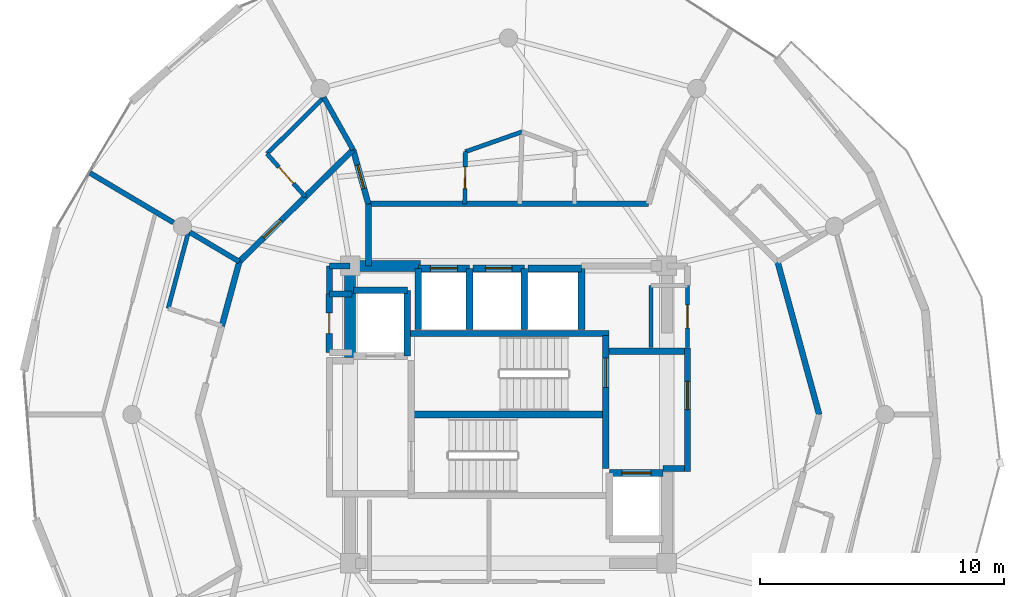
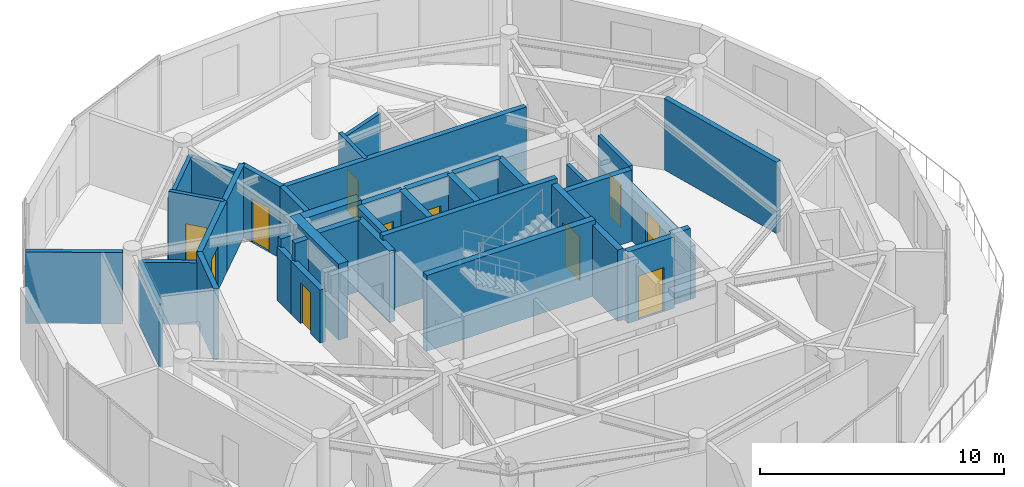
# One storey, part 18 of 22: 39 walls, 11 doors, 11 openings.
"""IFC4 building model written with IfcOpenShell, lengths in metres."""

from ifc_helpers import new_model, si_unit, direction, frame, frame_2d, origin, place, context, subcontext, project, spatial, rectangle, extrude, material, layer, layer_set, type_object, element, fill, save


model = new_model("IFC4")

# Units and contexts
model_context = context("Model", 3, precision=1e-05, world=origin(), true_north=direction((0.0, 1.0)))
body_context = subcontext(model_context, "Body", "Model", "MODEL_VIEW")
ifc_project = project(units=[si_unit("LENGTHUNIT", "METRE"), si_unit("AREAUNIT", "SQUARE_METRE"), si_unit("VOLUMEUNIT", "CUBIC_METRE"), si_unit("PLANEANGLEUNIT", "RADIAN"), si_unit("MASSUNIT", "GRAM", prefix="KILO")], contexts=[model_context])

# Site, building, storey
site_placement = place(None, origin())
site = spatial("IfcSite", under=ifc_project, at=site_placement, CompositionType="ELEMENT")
building_placement = place(site_placement, origin())
building = spatial("IfcBuilding", under=site, at=building_placement, Name="Solvirekh Grand Hotel", CompositionType="ELEMENT")
storey_placement = place(building_placement, frame((0.0, 0.0, 243.0)))
storey = spatial("IfcBuildingStorey", under=building, at=storey_placement, Name="L63", CompositionType="ELEMENT", Elevation=243.0)

# Wall
ifc_material_1 = material(Name="Concrete C50/60", Category="concrete")
ifc_layer_1 = layer(ifc_material_1, 0.35009765625)
ifc_layer_set_1 = layer_set([ifc_layer_1], Name="Concrete C50/60")
wall_type_1 = type_object("IfcWallType", Name="CoreDivWall_RC350", PredefinedType="SOLIDWALL", material=ifc_layer_set_1)
wall_1_placement = place(storey_placement, frame((-4.1298828125, 3.324951171875, 0.0), z_axis=(0.0, 0.0, 1.0), x_axis=(1.0, 0.0, 0.0)))
element("IfcWall", 1, at=wall_1_placement, inside=storey, type_object=wall_type_1, Name="L63 core stair box wall ST-N", PredefinedType="SOLIDWALL", context=body_context, shape_type="SweptSolid", body=[
    extrude(rectangle(XDim=8.259765625, YDim=0.25, at=frame_2d((4.1298828125, 0.0))), origin(), (0.0, 0.0, 1.0), 3.800048828125),
])

# Wall, opening, door
ifc_material_2 = material(Name="Concrete C40/50", Category="concrete")
ifc_layer_2 = layer(ifc_material_2, 0.280029296875)
ifc_layer_set_2 = layer_set([ifc_layer_2], Name="Concrete C40/50")
wall_type_2 = type_object("IfcWallType", Name="CoreShaftWall_RC280", PredefinedType="SOLIDWALL", material=ifc_layer_set_2)
wall_2_placement = place(storey_placement, frame((-1.60009765625, 6.0, 0.0), z_axis=(0.0, 0.0, 1.0), x_axis=(-1.0, 0.0, 0.0)))
wall_2 = element("IfcWall", 2, at=wall_2_placement, inside=storey, type_object=wall_type_2, Name="L63 HP-1 hoistway N wall", PredefinedType="SOLIDWALL", context=body_context, shape_type="SweptSolid", body=[
    extrude(rectangle(XDim=2.099853515625, YDim=0.280029296875, at=frame_2d((1.0498046875, 0.0))), origin(), (0.0, 0.0, 1.0), 3.570068359375),
])
opening_1_placement = place(wall_2_placement, frame((0.5, 0.0, 0.0)))
opening_1 = element("IfcOpeningElement", 3, at=opening_1_placement, cuts=wall_2, Name="Opening LD01", PredefinedType="OPENING", context=body_context, shape_type="SweptSolid", body=[
    extrude(rectangle(XDim=1.10009765625, YDim=2.199951171875, at=frame_2d((0.550048828125, 1.10009765625))), frame((0.0, 0.14990234375, 0.0), z_axis=(0.0, -1.0, 0.0), x_axis=(1.0, 0.0, 0.0)), (0.0, 0.0, 1.0), 0.300048828125),
])
ifc_material_3 = material(Name="Fire-Rated Steel Door Assembly", Category="steel")
door_type_1 = type_object("IfcDoorType", Name="Door_LiftLanding_1100X2200", OperationType="SLIDING_TO_LEFT", PredefinedType="DOOR", material=ifc_material_3)
door_1_placement = place(opening_1_placement, origin())
door_1 = element("IfcDoor", 4, at=door_1_placement, inside=storey, type_object=door_type_1, Name="L63 HP-1 sliding lift landing door", OperationType="SLIDING_TO_LEFT", OverallHeight=2.199951171875, OverallWidth=1.10009765625, PredefinedType="DOOR", context=body_context, shape_type="SweptSolid", body=[
    extrude(rectangle(XDim=1.10009765625, YDim=2.199951171875, at=frame_2d((0.550048828125, 1.10009765625))), frame((0.0, 0.02490234375, 0.0), z_axis=(0.0, -1.0, 0.0), x_axis=(1.0, 0.0, 0.0)), (0.0, 0.0, 1.0), 0.050048828125),
])
fill(opening_1, door_1)

# Walls
for number, where, z_axis, x_axis, name in (
    (5, (-3.699951171875, 6.0, 0.0), (0.0, 0.0, 1.0), (0.0, -1.0, 0.0), "L63 HP-1 hoistway W wall"),
    (6, (-1.60009765625, 3.5, 0.0), (0.0, 0.0, 1.0), (0.0, 1.0, 0.0), "L63 HP-1 hoistway E wall"),
):
    element("IfcWall", number, at=place(storey_placement, frame(where, z_axis=z_axis, x_axis=x_axis)), inside=storey, type_object=wall_type_2, Name=name, PredefinedType="SOLIDWALL", context=body_context, shape_type="SweptSolid", body=[
        extrude(rectangle(XDim=2.5, YDim=0.280029296875, at=frame_2d((1.25, 0.0))), origin(), (0.0, 0.0, 1.0), 3.570068359375),
    ])

# Wall, opening, door
wall_3_placement = place(storey_placement, frame((0.64990234375, 6.0, 0.0), z_axis=(0.0, 0.0, 1.0), x_axis=(-1.0, 0.0, 0.0)))
wall_3 = element("IfcWall", 7, at=wall_3_placement, inside=storey, type_object=wall_type_2, Name="L63 HP-2 hoistway N wall", PredefinedType="SOLIDWALL", context=body_context, shape_type="SweptSolid", body=[
    extrude(rectangle(XDim=2.099853515625, YDim=0.280029296875, at=frame_2d((1.0498046875, 0.0))), origin(), (0.0, 0.0, 1.0), 3.570068359375),
])
opening_2_placement = place(wall_3_placement, frame((0.5, 0.0, 0.0)))
opening_2 = element("IfcOpeningElement", 8, at=opening_2_placement, cuts=wall_3, Name="Opening LD01", PredefinedType="OPENING", context=body_context, shape_type="SweptSolid", body=[
    extrude(rectangle(XDim=1.10009765625, YDim=2.199951171875, at=frame_2d((0.550048828125, 1.10009765625))), frame((0.0, 0.14990234375, 0.0), z_axis=(0.0, -1.0, 0.0), x_axis=(1.0, 0.0, 0.0)), (0.0, 0.0, 1.0), 0.300048828125),
])
door_2_placement = place(opening_2_placement, origin())
door_2 = element("IfcDoor", 9, at=door_2_placement, inside=storey, type_object=door_type_1, Name="L63 HP-2 sliding lift landing door", OperationType="SLIDING_TO_LEFT", OverallHeight=2.199951171875, OverallWidth=1.10009765625, PredefinedType="DOOR", context=body_context, shape_type="SweptSolid", body=[
    extrude(rectangle(XDim=1.10009765625, YDim=2.199951171875, at=frame_2d((0.550048828125, 1.10009765625))), frame((0.0, 0.02490234375, 0.0), z_axis=(0.0, -1.0, 0.0), x_axis=(1.0, 0.0, 0.0)), (0.0, 0.0, 1.0), 0.050048828125),
])
fill(opening_2, door_2)

# Walls
wall_4_placement = place(storey_placement, frame((0.64990234375, 3.5, 0.0), z_axis=(0.0, 0.0, 1.0), x_axis=(0.0, 1.0, 0.0)))
element("IfcWall", 10, at=wall_4_placement, inside=storey, type_object=wall_type_2, Name="L63 HP-2 hoistway E wall", PredefinedType="SOLIDWALL", context=body_context, shape_type="SweptSolid", body=[
    extrude(rectangle(XDim=2.5, YDim=0.280029296875, at=frame_2d((1.25, 0.0))), origin(), (0.0, 0.0, 1.0), 3.570068359375),
])
wall_5_placement = place(storey_placement, frame((3.0, 6.0, 0.0), z_axis=(0.0, 0.0, 1.0), x_axis=(-1.0, 0.0, 0.0)))
element("IfcWall", 11, at=wall_5_placement, inside=storey, type_object=wall_type_2, Name="L63 EX-1 hoistway N wall", PredefinedType="SOLIDWALL", context=body_context, shape_type="SweptSolid", body=[
    extrude(rectangle(XDim=2.199951171875, YDim=0.280029296875, at=frame_2d((1.10009765625, 0.0))), origin(), (0.0, 0.0, 1.0), 3.570068359375),
])
wall_6_placement = place(storey_placement, frame((3.0, 3.5, 0.0), z_axis=(0.0, 0.0, 1.0), x_axis=(0.0, 1.0, 0.0)))
element("IfcWall", 12, at=wall_6_placement, inside=storey, type_object=wall_type_2, Name="L63 EX-1 hoistway E wall", PredefinedType="SOLIDWALL", context=body_context, shape_type="SweptSolid", body=[
    extrude(rectangle(XDim=2.5, YDim=0.280029296875, at=frame_2d((1.25, 0.0))), origin(), (0.0, 0.0, 1.0), 3.570068359375),
])
wall_7_placement = place(storey_placement, frame((-4.14990234375, 5.10009765625, 0.0), z_axis=(0.0, 0.0, 1.0), x_axis=(-1.0, 0.0, 0.0)))
element("IfcWall", 13, at=wall_7_placement, inside=storey, type_object=wall_type_2, Name="L63 FL-1 hoistway N wall", PredefinedType="SOLIDWALL", context=body_context, shape_type="SweptSolid", body=[
    extrude(rectangle(XDim=2.2001953125, YDim=0.280029296875, at=frame_2d((1.10009765625, 0.0))), origin(), (0.0, 0.0, 1.0), 3.570068359375),
])
wall_8_placement = place(storey_placement, frame((-4.14990234375, 2.39990234375, 0.0), z_axis=(0.0, 0.0, 1.0), x_axis=(0.0, 1.0, 0.0)))
element("IfcWall", 14, at=wall_8_placement, inside=storey, type_object=wall_type_2, Name="L63 FL-1 hoistway E wall", PredefinedType="SOLIDWALL", context=body_context, shape_type="SweptSolid", body=[
    extrude(rectangle(XDim=2.7001953125, YDim=0.280029296875, at=frame_2d((1.35009765625, 0.0))), origin(), (0.0, 0.0, 1.0), 3.570068359375),
])

# Wall, opening, door
wall_9_placement = place(storey_placement, frame((6.35009765625, -2.39990234375, 0.0), z_axis=(0.0, 0.0, 1.0), x_axis=(-1.0, 0.0, 0.0)))
wall_9 = element("IfcWall", 15, at=wall_9_placement, inside=storey, type_object=wall_type_2, Name="L63 FL-2 hoistway N wall", PredefinedType="SOLIDWALL", context=body_context, shape_type="SweptSolid", body=[
    extrude(rectangle(XDim=2.2001953125, YDim=0.280029296875, at=frame_2d((1.10009765625, 0.0))), origin(), (0.0, 0.0, 1.0), 3.570068359375),
])
opening_3_placement = place(wall_9_placement, frame((0.5, 0.0, 0.0)))
opening_3 = element("IfcOpeningElement", 16, at=opening_3_placement, cuts=wall_9, Name="Opening LD02", PredefinedType="OPENING", context=body_context, shape_type="SweptSolid", body=[
    extrude(rectangle(XDim=1.199951171875, YDim=2.199951171875, at=frame_2d((0.60009765625, 1.10009765625))), frame((0.0, 0.14990234375, 0.0), z_axis=(0.0, -1.0, 0.0), x_axis=(1.0, 0.0, 0.0)), (0.0, 0.0, 1.0), 0.300048828125),
])
door_type_2 = type_object("IfcDoorType", Name="Door_LiftFF_1200X2200", OperationType="SLIDING_TO_LEFT", PredefinedType="DOOR", material=ifc_material_3)
door_3_placement = place(opening_3_placement, origin())
door_3 = element("IfcDoor", 17, at=door_3_placement, inside=storey, type_object=door_type_2, Name="L63 FL-2 sliding lift landing door", OperationType="SLIDING_TO_LEFT", OverallHeight=2.199951171875, OverallWidth=1.199951171875, PredefinedType="DOOR", context=body_context, shape_type="SweptSolid", body=[
    extrude(rectangle(XDim=1.199951171875, YDim=2.199951171875, at=frame_2d((0.60009765625, 1.10009765625))), frame((0.0, 0.02490234375, 0.0), z_axis=(0.0, -1.0, 0.0), x_axis=(1.0, 0.0, 0.0)), (0.0, 0.0, 1.0), 0.050048828125),
])
fill(opening_3, door_3)

wall_10_placement = place(storey_placement, frame((3.989990234375, -2.2099609375, 0.0), z_axis=(0.0, 0.0, 1.0), x_axis=(0.0, 1.0, 0.0)))
wall_10 = element("IfcWall", 18, at=wall_10_placement, inside=storey, type_object=wall_type_2, Name="L63 east stair landing enclosure wall", PredefinedType="SOLIDWALL", context=body_context, shape_type="SweptSolid", body=[
    extrude(rectangle(XDim=5.4599609375, YDim=0.280029296875, at=frame_2d((2.72998046875, 0.0))), origin(), (0.0, 0.0, 1.0), 3.570068359375),
])
opening_4_placement = place(wall_10_placement, frame((3.322998046875, 0.0, 0.0)))
opening_4 = element("IfcOpeningElement", 19, at=opening_4_placement, cuts=wall_10, Name="Opening D05", PredefinedType="OPENING", context=body_context, shape_type="SweptSolid", body=[
    extrude(rectangle(XDim=1.199951171875, YDim=2.199951171875, at=frame_2d((0.60009765625, 1.10009765625))), frame((0.0, 0.14990234375, 0.0), z_axis=(0.0, -1.0, 0.0), x_axis=(1.0, 0.0, 0.0)), (0.0, 0.0, 1.0), 0.300048828125),
])
door_type_3 = type_object("IfcDoorType", Name="Door_StairCore_1200X2200", OperationType="NOTDEFINED", PredefinedType="DOOR", material=ifc_material_3)
door_4_placement = place(opening_4_placement, origin())
door_4 = element("IfcDoor", 20, at=door_4_placement, inside=storey, type_object=door_type_3, Name="L63 exit stair ST-2 fire door", OperationType="SINGLE_SWING_RIGHT", OverallHeight=2.199951171875, OverallWidth=1.199951171875, PredefinedType="DOOR", context=body_context, shape_type="SweptSolid", body=[
    extrude(rectangle(XDim=1.199951171875, YDim=2.199951171875, at=frame_2d((0.60009765625, 1.10009765625))), frame((0.0, 0.02490234375, 0.0), z_axis=(0.0, -1.0, 0.0), x_axis=(1.0, 0.0, 0.0)), (0.0, 0.0, 1.0), 0.050048828125),
])
fill(opening_4, door_4)

# Walls
ifc_layer_3 = layer(ifc_material_1, 0.449951171875)
ifc_layer_set_3 = layer_set([ifc_layer_3], Name="Concrete C50/60")
wall_type_3 = type_object("IfcWallType", Name="CoreWall_RC450", PredefinedType="SHEAR", material=ifc_layer_set_3)
wall_11_placement = place(storey_placement, frame((-3.989990234375, 0.0, 0.0), z_axis=(0.0, 0.0, 1.0), x_axis=(1.0, 0.0, 0.0)))
element("IfcWall", 21, at=wall_11_placement, inside=storey, type_object=wall_type_3, Name="L63 central stair-spine shear wall", PredefinedType="SHEAR", context=body_context, shape_type="SweptSolid", body=[
    extrude(rectangle(XDim=7.97998046875, YDim=0.300048828125, at=frame_2d((3.989990234375, 0.0))), origin(), (0.0, 0.0, 1.0), 3.800048828125),
])
wall_12_placement = place(storey_placement, frame((-6.27490234375, 6.10009765625, 0.0), z_axis=(0.0, 0.0, 1.0), x_axis=(1.0, 0.0, 0.0)))
element("IfcWall", 22, at=wall_12_placement, inside=storey, type_object=wall_type_3, Name="L63 core corner shear wall NW-N", PredefinedType="SHEAR", context=body_context, shape_type="SweptSolid", body=[
    extrude(rectangle(XDim=2.6748046875, YDim=0.449951171875, at=frame_2d((1.33740234375, 0.0))), origin(), (0.0, 0.0, 1.0), 3.800048828125),
])
wall_13_placement = place(storey_placement, frame((-6.5, 2.35009765625, 0.0), z_axis=(0.0, 0.0, 1.0), x_axis=(0.0, 1.0, 0.0)))
element("IfcWall", 23, at=wall_13_placement, inside=storey, type_object=wall_type_3, Name="L63 core corner shear wall WN-W", PredefinedType="SHEAR", context=body_context, shape_type="SweptSolid", body=[
    extrude(rectangle(XDim=3.974853515625, YDim=0.449951171875, at=frame_2d((1.9873046875, 0.0))), origin(), (0.0, 0.0, 1.0), 3.800048828125),
])

# Wall, opening, door
ifc_material_4 = material(Name="Acoustic Gypsum Partition Assembly")
ifc_layer_4 = layer(ifc_material_4, 0.1650390625)
ifc_layer_set_4 = layer_set([ifc_layer_4], Name="Acoustic Gypsum Partition Assembly")
wall_type_4 = type_object("IfcWallType", Name="Part_BOH_165", PredefinedType="PARTITIONING", material=ifc_layer_set_4)
wall_14_placement = place(storey_placement, frame((7.35009765625, 2.75, 0.0), z_axis=(0.0, 0.0, 1.0), x_axis=(0.0, 1.0, 0.0)))
wall_14 = element("IfcWall", 24, at=wall_14_placement, inside=storey, type_object=wall_type_4, Name="L63 L63 Core Housekeeping & Linen Room wall 2", PredefinedType="PARTITIONING", context=body_context, shape_type="SweptSolid", body=[
    extrude(rectangle(XDim=2.550048828125, YDim=0.1650390625, at=frame_2d((1.27490234375, 0.0))), origin(), (0.0, 0.0, 1.0), 3.570068359375),
])
opening_5_placement = place(wall_14_placement, frame((0.800048828125, 0.0, 0.0)))
opening_5 = element("IfcOpeningElement", 25, at=opening_5_placement, cuts=wall_14, Name="Opening D10", PredefinedType="OPENING", context=body_context, shape_type="SweptSolid", body=[
    extrude(rectangle(XDim=0.949951171875, YDim=2.10009765625, at=frame_2d((0.47509765625, 1.050048828125))), frame((0.0, 0.092529296875, 0.0), z_axis=(0.0, -1.0, 0.0), x_axis=(1.0, 0.0, 0.0)), (0.0, 0.0, 1.0), 0.18505859375),
])
ifc_material_5 = material(Name="Anodized Bronze Aluminium 6063-T6", Category="aluminium")
door_type_4 = type_object("IfcDoorType", Name="Door_RoomInt_950X2100", OperationType="NOTDEFINED", PredefinedType="DOOR", material=ifc_material_5)
door_5_placement = place(opening_5_placement, origin())
door_5 = element("IfcDoor", 26, at=door_5_placement, inside=storey, type_object=door_type_4, Name="L63 L63 Core Housekeeping & Linen Room door", OperationType="SINGLE_SWING_RIGHT", OverallHeight=2.10009765625, OverallWidth=0.949951171875, PredefinedType="DOOR", context=body_context, shape_type="SweptSolid", body=[
    extrude(rectangle(XDim=0.949951171875, YDim=2.10009765625, at=frame_2d((0.47509765625, 1.050048828125))), frame((0.0, 0.02490234375, 0.0), z_axis=(0.0, -1.0, 0.0), x_axis=(1.0, 0.0, 0.0)), (0.0, 0.0, 1.0), 0.050048828125),
])
fill(opening_5, door_5)

# Wall
wall_15_placement = place(storey_placement, frame((5.85009765625, 5.300048828125, 0.0), z_axis=(0.0, 0.0, 1.0), x_axis=(0.0, -1.0, 0.0)))
element("IfcWall", 27, at=wall_15_placement, inside=storey, type_object=wall_type_4, Name="L63 L63 Core Housekeeping & Linen Room wall 4", PredefinedType="PARTITIONING", context=body_context, shape_type="SweptSolid", body=[
    extrude(rectangle(XDim=2.550048828125, YDim=0.1650390625, at=frame_2d((1.27490234375, 0.0))), origin(), (0.0, 0.0, 1.0), 2.655029296875),
])

# Wall, opening, door
ifc_layer_5 = layer(ifc_material_4, 0.239990234375)
ifc_layer_set_5 = layer_set([ifc_layer_5], Name="Acoustic Gypsum Partition Assembly")
wall_type_5 = type_object("IfcWallType", Name="Part_Corridor_240", PredefinedType="PARTITIONING", material=ifc_layer_set_5)
wall_16_placement = place(storey_placement, frame((7.35009765625, -2.340087890625, 0.0), z_axis=(0.0, 0.0, 1.0), x_axis=(0.0, 1.0, 0.0)))
wall_16 = element("IfcWall", 28, at=wall_16_placement, inside=storey, type_object=wall_type_5, Name="L63 east firefighting lobby smoke screen wall", PredefinedType="PARTITIONING", context=body_context, shape_type="SweptSolid", body=[
    extrude(rectangle(XDim=5.070068359375, YDim=0.239990234375, at=frame_2d((2.53515625, 0.0))), origin(), (0.0, 0.0, 1.0), 2.655029296875),
])
opening_6_placement = place(wall_16_placement, frame((2.548095703125, 0.0, 0.0)))
opening_6 = element("IfcOpeningElement", 29, at=opening_6_placement, cuts=wall_16, Name="Opening D06", PredefinedType="OPENING", context=body_context, shape_type="SweptSolid", body=[
    extrude(rectangle(XDim=1.14990234375, YDim=2.199951171875, at=frame_2d((0.574951171875, 1.10009765625))), frame((0.0, 0.1298828125, 0.0), z_axis=(0.0, -1.0, 0.0), x_axis=(1.0, 0.0, 0.0)), (0.0, 0.0, 1.0), 0.260009765625),
])
door_type_5 = type_object("IfcDoorType", Name="Door_FFLobby_1150X2200", OperationType="NOTDEFINED", PredefinedType="DOOR", material=ifc_material_3)
door_6_placement = place(opening_6_placement, origin())
door_6 = element("IfcDoor", 30, at=door_6_placement, inside=storey, type_object=door_type_5, Name="L63 east firefighting lobby smoke door", OperationType="SINGLE_SWING_RIGHT", OverallHeight=2.199951171875, OverallWidth=1.14990234375, PredefinedType="DOOR", context=body_context, shape_type="SweptSolid", body=[
    extrude(rectangle(XDim=1.14990234375, YDim=2.199951171875, at=frame_2d((0.574951171875, 1.10009765625))), frame((0.0, 0.02490234375, 0.0), z_axis=(0.0, -1.0, 0.0), x_axis=(1.0, 0.0, 0.0)), (0.0, 0.0, 1.0), 0.050048828125),
])
fill(opening_6, door_6)

# Walls
wall_17_placement = place(storey_placement, frame((-5.75, 8.64990234375, 0.0), z_axis=(0.0, 0.0, 1.0), x_axis=(1.0, 0.0, 0.0)))
element("IfcWall", 31, at=wall_17_placement, inside=storey, type_object=wall_type_5, Name="L63 north lift lobby enclosure wall", PredefinedType="PARTITIONING", context=body_context, shape_type="SweptSolid", body=[
    extrude(rectangle(XDim=11.5, YDim=0.239990234375, at=frame_2d((5.75, 0.0))), origin(), (0.0, 0.0, 1.0), 3.570068359375),
])
wall_18_placement = place(storey_placement, frame((-5.75, 6.10009765625, 0.0), z_axis=(0.0, 0.0, 1.0), x_axis=(0.0, 1.0, 0.0)))
element("IfcWall", 32, at=wall_18_placement, inside=storey, type_object=wall_type_5, Name="L63 north lift lobby west wall", PredefinedType="PARTITIONING", context=body_context, shape_type="SweptSolid", body=[
    extrude(rectangle(XDim=2.5498046875, YDim=0.239990234375, at=frame_2d((1.27490234375, 0.0))), origin(), (0.0, 0.0, 1.0), 3.570068359375),
])
wall_19_placement = place(storey_placement, frame((-7.35009765625, 4.949951171875, 0.0), z_axis=(0.0, 0.0, 1.0), x_axis=(0.0, 1.0, 0.0)))
element("IfcWall", 33, at=wall_19_placement, inside=storey, type_object=wall_type_5, Name="L63 NW core cheek closure wall", PredefinedType="PARTITIONING", context=body_context, shape_type="SweptSolid", body=[
    extrude(rectangle(XDim=1.150146484375, YDim=0.239990234375, at=frame_2d((0.5751953125, 0.0))), origin(), (0.0, 0.0, 1.0), 2.655029296875),
])
wall_20_placement = place(storey_placement, frame((-7.35009765625, 6.10009765625, 0.0), z_axis=(0.0, 0.0, 1.0), x_axis=(1.0, 0.0, 0.0)))
element("IfcWall", 34, at=wall_20_placement, inside=storey, type_object=wall_type_5, Name="L63 NW core corner tie wall", PredefinedType="PARTITIONING", context=body_context, shape_type="SweptSolid", body=[
    extrude(rectangle(XDim=0.85009765625, YDim=0.239990234375, at=frame_2d((0.425048828125, 0.0))), origin(), (0.0, 0.0, 1.0), 3.0859375),
])

# Wall, opening, door
wall_21_placement = place(storey_placement, frame((-6.375, 10.868896484375, 0.0), z_axis=(0.0, 0.0, 1.0), x_axis=(0.271110513922, -0.962548226969, 0.0)))
wall_21 = element("IfcWall", 35, at=wall_21_placement, inside=storey, type_object=wall_type_5, Name="L63 Panorama Suite 6502 entrance wall", PredefinedType="PARTITIONING", context=body_context, shape_type="SweptSolid", body=[
    extrude(rectangle(XDim=2.305419921875, YDim=0.239990234375, at=frame_2d((1.15283203125, 0.0))), origin(), (0.0, 0.0, 1.0), 3.570068359375),
])
opening_7_placement = place(wall_21_placement, frame((0.653076171875, 0.0, 0.0)))
opening_7 = element("IfcOpeningElement", 36, at=opening_7_placement, cuts=wall_21, Name="Opening D07", PredefinedType="OPENING", context=body_context, shape_type="SweptSolid", body=[
    extrude(rectangle(XDim=1.0, YDim=2.199951171875, at=frame_2d((0.5, 1.10009765625))), frame((0.0, 0.1298828125, 0.0), z_axis=(0.0, -1.0, 0.0), x_axis=(1.0, 0.0, 0.0)), (0.0, 0.0, 1.0), 0.260009765625),
])
door_type_6 = type_object("IfcDoorType", Name="Door_GuestEntry_1000X2200", OperationType="NOTDEFINED", PredefinedType="DOOR", material=ifc_material_3)
door_7_placement = place(opening_7_placement, origin())
door_7 = element("IfcDoor", 37, at=door_7_placement, inside=storey, type_object=door_type_6, Name="L63 Panorama Suite 6502 entrance door", OperationType="SINGLE_SWING_RIGHT", OverallHeight=2.199951171875, OverallWidth=1.0, PredefinedType="DOOR", context=body_context, shape_type="SweptSolid", body=[
    extrude(rectangle(XDim=1.0, YDim=2.199951171875, at=frame_2d((0.5, 1.10009765625))), frame((0.0, 0.02490234375, 0.0), z_axis=(0.0, -1.0, 0.0), x_axis=(1.0, 0.0, 0.0)), (0.0, 0.0, 1.0), 0.050048828125),
])
fill(opening_7, door_7)

# Wall
wall_22_placement = place(storey_placement, frame((-6.375, 10.868896484375, 0.0), z_axis=(0.0, 0.0, 1.0), x_axis=(-0.712721806089, -0.701446809904, 0.0)))
element("IfcWall", 38, at=wall_22_placement, inside=storey, type_object=wall_type_5, Name="L63 En-suite Bathroom 6503 corridor backing wall", PredefinedType="PARTITIONING", context=body_context, shape_type="SweptSolid", body=[
    extrude(rectangle(XDim=2.75, YDim=0.239990234375, at=frame_2d((1.375, 0.0))), origin(), (0.0, 0.0, 1.0), 3.570068359375),
])

# Wall, opening, door
wall_23_placement = place(storey_placement, frame((-8.3349609375, 8.93994140625, 0.0), z_axis=(0.0, 0.0, 1.0), x_axis=(-0.712612295011, -0.701558063883, 0.0)))
wall_23 = element("IfcWall", 39, at=wall_23_placement, inside=storey, type_object=wall_type_5, Name="L63 Deluxe Guestroom 6503 entrance wall", PredefinedType="PARTITIONING", context=body_context, shape_type="SweptSolid", body=[
    extrude(rectangle(XDim=3.798828125, YDim=0.239990234375, at=frame_2d((1.8994140625, 0.0))), origin(), (0.0, 0.0, 1.0), 3.570068359375),
])
opening_8_placement = place(wall_23_placement, frame((1.39892578125, 0.0, 0.0)))
opening_8 = element("IfcOpeningElement", 40, at=opening_8_placement, cuts=wall_23, Name="Opening D07", PredefinedType="OPENING", context=body_context, shape_type="SweptSolid", body=[
    extrude(rectangle(XDim=1.0, YDim=2.199951171875, at=frame_2d((0.5, 1.10009765625))), frame((0.0, 0.1298828125, 0.0), z_axis=(0.0, -1.0, 0.0), x_axis=(1.0, 0.0, 0.0)), (0.0, 0.0, 1.0), 0.260009765625),
])
door_8_placement = place(opening_8_placement, origin())
door_8 = element("IfcDoor", 41, at=door_8_placement, inside=storey, type_object=door_type_6, Name="L63 Deluxe Guestroom 6503 entrance door", OperationType="SINGLE_SWING_RIGHT", OverallHeight=2.199951171875, OverallWidth=1.0, PredefinedType="DOOR", context=body_context, shape_type="SweptSolid", body=[
    extrude(rectangle(XDim=1.0, YDim=2.199951171875, at=frame_2d((0.5, 1.10009765625))), frame((0.0, 0.02490234375, 0.0), z_axis=(0.0, -1.0, 0.0), x_axis=(1.0, 0.0, 0.0)), (0.0, 0.0, 1.0), 0.050048828125),
])
fill(opening_8, door_8)

# Walls
wall_24_placement = place(storey_placement, frame((-11.0419921875, 6.27490234375, 0.0), z_axis=(0.0, 0.0, 1.0), x_axis=(-0.262572701387, -0.964912211803, 0.0)))
element("IfcWall", 42, at=wall_24_placement, inside=storey, type_object=wall_type_5, Name="L63 En-suite Bathroom 6504 corridor backing wall", PredefinedType="PARTITIONING", context=body_context, shape_type="SweptSolid", body=[
    extrude(rectangle(XDim=2.730712890625, YDim=0.239990234375, at=frame_2d((1.365234375, 0.0))), origin(), (0.0, 0.0, 1.0), 3.570068359375),
])
wall_25_placement = place(storey_placement, frame((12.75, 0.0, 0.0), z_axis=(0.0, 0.0, 1.0), x_axis=(-0.262640884433, 0.964893655189, 0.0)))
element("IfcWall", 43, at=wall_25_placement, inside=storey, type_object=wall_type_5, Name="L63 Executive Suite 6505 Living Room corridor wall 1", PredefinedType="PARTITIONING", context=body_context, shape_type="SweptSolid", body=[
    extrude(rectangle(XDim=6.503173828125, YDim=0.239990234375, at=frame_2d((3.25146484375, 0.0))), origin(), (0.0, 0.0, 1.0), 3.570068359375),
])
ifc_layer_6 = layer(ifc_material_4, 0.260009765625)
ifc_layer_set_6 = layer_set([ifc_layer_6], Name="Acoustic Gypsum Partition Assembly")
wall_type_6 = type_object("IfcWallType", Name="Part_LobbyFF_260", PredefinedType="PARTITIONING", material=ifc_layer_set_6)
wall_26_placement = place(storey_placement, frame((6.35009765625, -2.2099609375, 0.0), z_axis=(0.0, 0.0, 1.0), x_axis=(1.0, 0.0, 0.0)))
element("IfcWall", 44, at=wall_26_placement, inside=storey, type_object=wall_type_6, Name="L63 east firefighting lobby SE cheek", PredefinedType="PARTITIONING", context=body_context, shape_type="SweptSolid", body=[
    extrude(rectangle(XDim=0.875, YDim=0.260009765625, at=frame_2d((0.4375, 0.0))), origin(), (0.0, 0.0, 1.0), 3.570068359375),
])
wall_27_placement = place(storey_placement, frame((4.1298828125, 2.60009765625, 0.0), z_axis=(0.0, 0.0, 1.0), x_axis=(1.0, 0.0, 0.0)))
element("IfcWall", 45, at=wall_27_placement, inside=storey, type_object=wall_type_6, Name="L63 east firefighting lobby north partition", PredefinedType="PARTITIONING", context=body_context, shape_type="SweptSolid", body=[
    extrude(rectangle(XDim=3.09521484375, YDim=0.260009765625, at=frame_2d((1.547607421875, 0.0))), origin(), (0.0, 0.0, 1.0), 3.570068359375),
])
wall_28_placement = place(storey_placement, frame((-7.35009765625, 4.949951171875, 0.0), z_axis=(0.0, 0.0, 1.0), x_axis=(1.0, 0.0, 0.0)))
element("IfcWall", 46, at=wall_28_placement, inside=storey, type_object=wall_type_6, Name="L63 NW telecom metering cupboard north wall", PredefinedType="PARTITIONING", context=body_context, shape_type="SweptSolid", body=[
    extrude(rectangle(XDim=0.93017578125, YDim=0.260009765625, at=frame_2d((0.465087890625, 0.0))), origin(), (0.0, 0.0, 1.0), 3.570068359375),
])

# Wall, opening, door
wall_29_placement = place(storey_placement, frame((-7.35009765625, 2.550048828125, 0.0), z_axis=(0.0, 0.0, 1.0), x_axis=(0.0, 1.0, 0.0)))
wall_29 = element("IfcWall", 47, at=wall_29_placement, inside=storey, type_object=wall_type_6, Name="L63 NW telecom metering cupboard access wall", PredefinedType="PARTITIONING", context=body_context, shape_type="SweptSolid", body=[
    extrude(rectangle(XDim=2.39990234375, YDim=0.260009765625, at=frame_2d((1.199951171875, 0.0))), origin(), (0.0, 0.0, 1.0), 2.655029296875),
])
opening_9_placement = place(wall_29_placement, frame((0.77490234375, 0.0, 0.0)))
opening_9 = element("IfcOpeningElement", 48, at=opening_9_placement, cuts=wall_29, Name="Opening D13", PredefinedType="OPENING", context=body_context, shape_type="SweptSolid", body=[
    extrude(rectangle(XDim=0.85009765625, YDim=2.050048828125, at=frame_2d((0.425048828125, 1.02490234375))), frame((0.0, 0.14013671875, 0.0), z_axis=(0.0, -1.0, 0.0), x_axis=(1.0, 0.0, 0.0)), (0.0, 0.0, 1.0), 0.280029296875),
])
door_type_7 = type_object("IfcDoorType", Name="Door_RiserShaft_850X2050", OperationType="NOTDEFINED", PredefinedType="DOOR", material=ifc_material_3)
door_9_placement = place(opening_9_placement, origin())
door_9 = element("IfcDoor", 49, at=door_9_placement, inside=storey, type_object=door_type_7, Name="L63 telecom metering cupboard access door", OperationType="SINGLE_SWING_LEFT", OverallHeight=2.050048828125, OverallWidth=0.85009765625, PredefinedType="DOOR", context=body_context, shape_type="SweptSolid", body=[
    extrude(rectangle(XDim=0.85009765625, YDim=2.050048828125, at=frame_2d((0.425048828125, 1.02490234375))), frame((0.0, 0.02490234375, 0.0), z_axis=(0.0, -1.0, 0.0), x_axis=(1.0, 0.0, 0.0)), (0.0, 0.0, 1.0), 0.050048828125),
])
fill(opening_9, door_9)

# Walls
ifc_layer_7 = layer(ifc_material_4, 0.2099609375)
ifc_layer_set_7 = layer_set([ifc_layer_7], Name="Acoustic Gypsum Partition Assembly")
wall_type_7 = type_object("IfcWallType", Name="Part_SuiteDemise_210", PredefinedType="PARTITIONING", material=ifc_layer_set_7)
wall_30_placement = place(storey_placement, frame((-6.375, 10.868896484375, 0.0), z_axis=(0.0, 0.0, 1.0), x_axis=(-0.489667191284, 0.871909422922, 0.0)))
element("IfcWall", 50, at=wall_30_placement, inside=storey, type_object=wall_type_7, Name="L63 suite radial wall 5 (A)", PredefinedType="PARTITIONING", context=body_context, shape_type="SweptSolid", body=[
    extrude(rectangle(XDim=2.458984375, YDim=0.2099609375, at=frame_2d((1.2294921875, 0.0))), origin(), (0.0, 0.0, 1.0), 3.0859375),
])
wall_31_placement = place(storey_placement, frame((-11.0419921875, 6.27490234375, 0.0), z_axis=(0.0, 0.0, 1.0), x_axis=(-0.859975377651, 0.510335526721, 0.0)))
element("IfcWall", 51, at=wall_31_placement, inside=storey, type_object=wall_type_7, Name="L63 suite radial wall 6 (A)", PredefinedType="PARTITIONING", context=body_context, shape_type="SweptSolid", body=[
    extrude(rectangle(XDim=2.359375, YDim=0.2099609375, at=frame_2d((1.1796875, 0.0))), origin(), (0.0, 0.0, 1.0), 3.0859375),
])
wall_32_placement = place(storey_placement, frame((-13.743896484375, 7.87890625, 0.0), z_axis=(0.0, 0.0, 1.0), x_axis=(-0.859849705024, 0.510547240488, 0.0)))
element("IfcWall", 52, at=wall_32_placement, inside=storey, type_object=wall_type_7, Name="L63 suite radial wall 6 (B)", PredefinedType="PARTITIONING", context=body_context, shape_type="SweptSolid", body=[
    extrude(rectangle(XDim=3.988037109375, YDim=0.2099609375, at=frame_2d((1.994140625, 0.0))), origin(), (0.0, 0.0, 1.0), 3.570068359375),
])
ifc_layer_8 = layer(ifc_material_4, 0.175048828125)
ifc_layer_set_8 = layer_set([ifc_layer_8], Name="Acoustic Gypsum Partition Assembly")
wall_type_8 = type_object("IfcWallType", Name="Plumb_Ensuite_175", PredefinedType="PLUMBINGWALL", material=ifc_layer_set_8)
wall_33_placement = place(storey_placement, frame((-1.76708984375, 10.785888671875, 0.0), z_axis=(0.0, 0.0, 1.0), x_axis=(0.943463492061, 0.331476453385, 0.0)))
element("IfcWall", 53, at=wall_33_placement, inside=storey, type_object=wall_type_8, Name="L63 En-suite Bathroom 6502 outer plumbing wall", PredefinedType="PLUMBINGWALL", context=body_context, shape_type="SweptSolid", body=[
    extrude(rectangle(XDim=2.462158203125, YDim=0.175048828125, at=frame_2d((1.23095703125, 0.0))), origin(), (0.0, 0.0, 1.0), 3.251953125),
])

# Wall, opening, door
wall_34_placement = place(storey_placement, frame((-1.76708984375, 10.785888671875, 0.0), z_axis=(0.0, 0.0, 1.0), x_axis=(-0.010743464968, -0.999942287315, 0.0)))
wall_34 = element("IfcWall", 54, at=wall_34_placement, inside=storey, type_object=wall_type_8, Name="L63 En-suite Bathroom 6502 entry plumbing wall", PredefinedType="PLUMBINGWALL", context=body_context, shape_type="SweptSolid", body=[
    extrude(rectangle(XDim=2.13623046875, YDim=0.175048828125, at=frame_2d((1.068115234375, 0.0))), origin(), (0.0, 0.0, 1.0), 3.570068359375),
])
opening_10_placement = place(wall_34_placement, frame((0.617919921875, 0.0, 0.0)))
opening_10 = element("IfcOpeningElement", 55, at=opening_10_placement, cuts=wall_34, Name="Opening D09", PredefinedType="OPENING", context=body_context, shape_type="SweptSolid", body=[
    extrude(rectangle(XDim=0.89990234375, YDim=2.10009765625, at=frame_2d((0.449951171875, 1.050048828125))), frame((0.0, 0.09765625, 0.0), z_axis=(0.0, -1.0, 0.0), x_axis=(1.0, 0.0, 0.0)), (0.0, 0.0, 1.0), 0.195068359375),
])
door_type_8 = type_object("IfcDoorType", Name="Door_Ensuite_900X2100", OperationType="NOTDEFINED", PredefinedType="DOOR", material=ifc_material_5)
door_10_placement = place(opening_10_placement, origin())
door_10 = element("IfcDoor", 56, at=door_10_placement, inside=storey, type_object=door_type_8, Name="L63 En-suite Bathroom 6502 door", OperationType="SINGLE_SWING_LEFT", OverallHeight=2.10009765625, OverallWidth=0.89990234375, PredefinedType="DOOR", context=body_context, shape_type="SweptSolid", body=[
    extrude(rectangle(XDim=0.89990234375, YDim=2.10009765625, at=frame_2d((0.449951171875, 1.050048828125))), frame((0.0, 0.02490234375, 0.0), z_axis=(0.0, -1.0, 0.0), x_axis=(1.0, 0.0, 0.0)), (0.0, 0.0, 1.0), 0.050048828125),
])
fill(opening_10, door_10)

# Wall
wall_35_placement = place(storey_placement, frame((-7.574951171875, 13.007080078125, 0.0), z_axis=(0.0, 0.0, 1.0), x_axis=(-0.710892186869, -0.703301001456, 0.0)))
element("IfcWall", 57, at=wall_35_placement, inside=storey, type_object=wall_type_8, Name="L63 En-suite Bathroom 6503 outer plumbing wall", PredefinedType="PLUMBINGWALL", context=body_context, shape_type="SweptSolid", body=[
    extrude(rectangle(XDim=3.280517578125, YDim=0.175048828125, at=frame_2d((1.64013671875, 0.0))), origin(), (0.0, 0.0, 1.0), 3.138916015625),
])

# Wall, opening, door
wall_36_placement = place(storey_placement, frame((-8.3349609375, 8.93994140625, 0.0), z_axis=(0.0, 0.0, 1.0), x_axis=(-0.666153503552, 0.745814661766, 0.0)))
wall_36 = element("IfcWall", 58, at=wall_36_placement, inside=storey, type_object=wall_type_8, Name="L63 En-suite Bathroom 6503 entry plumbing wall", PredefinedType="PLUMBINGWALL", context=body_context, shape_type="SweptSolid", body=[
    extrude(rectangle(XDim=2.35986328125, YDim=0.175048828125, at=frame_2d((1.179931640625, 0.0))), origin(), (0.0, 0.0, 1.0), 3.570068359375),
])
opening_11_placement = place(wall_36_placement, frame((0.72998046875, 0.0, 0.0)))
opening_11 = element("IfcOpeningElement", 59, at=opening_11_placement, cuts=wall_36, Name="Opening D09", PredefinedType="OPENING", context=body_context, shape_type="SweptSolid", body=[
    extrude(rectangle(XDim=0.89990234375, YDim=2.10009765625, at=frame_2d((0.449951171875, 1.050048828125))), frame((0.0, 0.09765625, 0.0), z_axis=(0.0, -1.0, 0.0), x_axis=(1.0, 0.0, 0.0)), (0.0, 0.0, 1.0), 0.195068359375),
])
door_11_placement = place(opening_11_placement, origin())
door_11 = element("IfcDoor", 60, at=door_11_placement, inside=storey, type_object=door_type_8, Name="L63 En-suite Bathroom 6503 door", OperationType="SINGLE_SWING_LEFT", OverallHeight=2.10009765625, OverallWidth=0.89990234375, PredefinedType="DOOR", context=body_context, shape_type="SweptSolid", body=[
    extrude(rectangle(XDim=0.89990234375, YDim=2.10009765625, at=frame_2d((0.449951171875, 1.050048828125))), frame((0.0, 0.02490234375, 0.0), z_axis=(0.0, -1.0, 0.0), x_axis=(1.0, 0.0, 0.0)), (0.0, 0.0, 1.0), 0.050048828125),
])
fill(opening_11, door_11)

# Wall
wall_37_placement = place(storey_placement, frame((-13.126953125, 7.512939453125, 0.0), z_axis=(0.0, 0.0, 1.0), x_axis=(-0.25555737321, -0.966793891684, 0.0)))
element("IfcWall", 61, at=wall_37_placement, inside=storey, type_object=wall_type_8, Name="L63 En-suite Bathroom 6504 outer plumbing wall", PredefinedType="PLUMBINGWALL", context=body_context, shape_type="SweptSolid", body=[
    extrude(rectangle(XDim=3.263427734375, YDim=0.175048828125, at=frame_2d((1.6318359375, 0.0))), origin(), (0.0, 0.0, 1.0), 3.138916015625),
])

save(model, "model.ifc")
